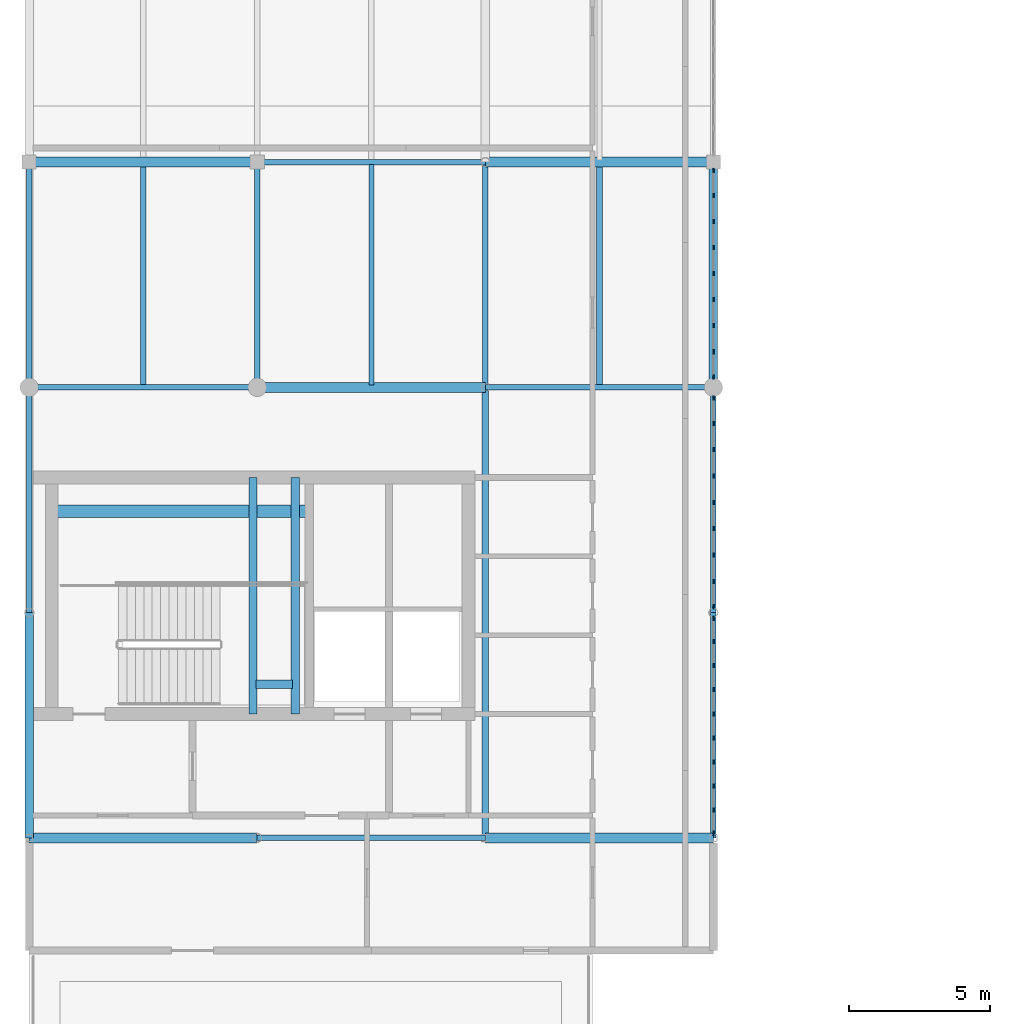
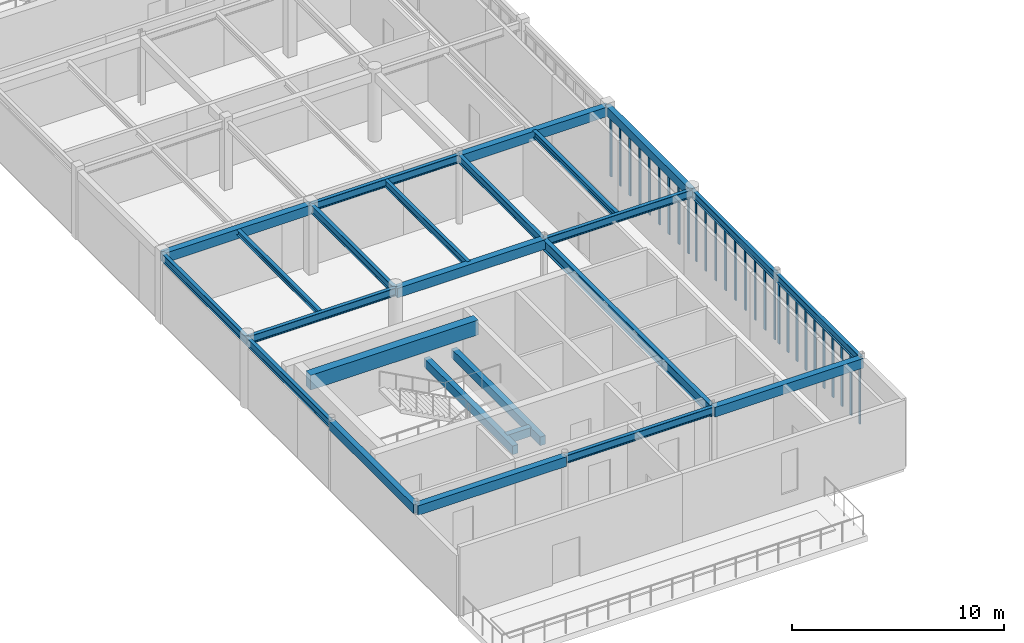
# One storey, part 4 of 18: 28 members, 25 beams, 3 elements without a shape of their own.
"""IFC4 building model written with IfcOpenShell, lengths in metres."""

from ifc_helpers import new_model, si_unit, direction, frame, origin, origin_2d, place, context, subcontext, project, spatial, rectangle, i_section, extrude, material, material_profile, profile_set, type_object, element, aggregate, save


model = new_model("IFC4")

# Units and contexts
model_context = context("Model", 3, precision=1e-05, world=origin(), true_north=direction((0.0, 1.0)))
body_context = subcontext(model_context, "Body", "Model", "MODEL_VIEW")
ifc_project = project(units=[si_unit("LENGTHUNIT", "METRE"), si_unit("AREAUNIT", "SQUARE_METRE"), si_unit("VOLUMEUNIT", "CUBIC_METRE"), si_unit("PLANEANGLEUNIT", "RADIAN"), si_unit("MASSUNIT", "GRAM", prefix="KILO")], contexts=[model_context])

# Site, building, storey
site_placement = place(None, origin())
site = spatial("IfcSite", under=ifc_project, at=site_placement, CompositionType="ELEMENT")
building_placement = place(site_placement, origin())
building = spatial("IfcBuilding", under=site, at=building_placement, Name="Tarnveldt Square Police Headquarters", CompositionType="ELEMENT")
storey_placement = place(building_placement, frame((0.0, 0.0, 29.10009765625)))
storey = spatial("IfcBuildingStorey", under=building, at=storey_placement, Name="L06", CompositionType="ELEMENT", Elevation=29.10009765625)

# Beams
ifc_material_1 = material(Name="Concrete 50 MPa", Category="concrete")
ifc_material_profile_1 = material_profile(ifc_material_1, rectangle(XDim=0.449951171875, YDim=0.85009765625, at=origin_2d()), Name="RC-CB450x850")
ifc_profile_set_1 = profile_set([ifc_material_profile_1], Name="Concrete 50 MPa")
beam_type_1 = type_object("IfcBeamType", Name="BM-CB450x850", PredefinedType="BEAM", material=ifc_profile_set_1)
beam_1_placement = place(storey_placement, frame((17.0, 67.60009765625, 3.77490234375), z_axis=(1.0, 0.0, 0.0), x_axis=(0.0, 1.0, 0.0)))
element("IfcBeam", 1, at=beam_1_placement, inside=storey, type_object=beam_type_1, Name="Core K1 South-West Command and Firefighting Core L06 Ductile Coupling Beam", PredefinedType="BEAM", context=body_context, shape_type="SweptSolid", body=[
    extrude(rectangle(XDim=0.449951171875, YDim=0.85009765625, at=origin_2d()), origin(), (0.0, 0.0, 1.0), 9.14990234375),
])
ifc_material_2 = material(Name="Concrete 40 MPa", Category="concrete")
ifc_material_profile_2 = material_profile(ifc_material_2, rectangle(XDim=0.300048828125, YDim=0.5, at=origin_2d()), Name="RC-B300x500")
ifc_profile_set_2 = profile_set([ifc_material_profile_2], Name="Concrete 40 MPa")
beam_type_2 = type_object("IfcBeamType", Name="BM-RC300x500", PredefinedType="BEAM", material=ifc_profile_set_2)
beam_2_placement = place(storey_placement, frame((24.14990234375, 60.39990234375, 1.64990234375), z_axis=(0.0, 1.0, 0.0), x_axis=(-1.0, 0.0, 0.0)))
element("IfcBeam", 2, at=beam_2_placement, inside=storey, type_object=beam_type_2, Name="ST1 L06 Half-Landing Support Beam 1", PredefinedType="BEAM", context=body_context, shape_type="SweptSolid", body=[
    extrude(rectangle(XDim=0.300048828125, YDim=0.5, at=origin_2d()), origin(), (0.0, 0.0, 1.0), 8.400146484375),
])
beam_3_placement = place(storey_placement, frame((24.25, 61.449951171875, 1.64990234375), z_axis=(1.0, 0.0, 0.0), x_axis=(0.0, 1.0, 0.0)))
element("IfcBeam", 3, at=beam_3_placement, inside=storey, type_object=beam_type_2, Name="ST1 L06 Half-Landing Support Beam 2", PredefinedType="BEAM", context=body_context, shape_type="SweptSolid", body=[
    extrude(rectangle(XDim=0.300048828125, YDim=0.5, at=origin_2d()), origin(), (0.0, 0.0, 1.0), 1.300048828125),
])
beam_4_placement = place(storey_placement, frame((25.64990234375, 60.39990234375, 1.64990234375), z_axis=(0.0, 1.0, 0.0), x_axis=(-1.0, 0.0, 0.0)))
element("IfcBeam", 4, at=beam_4_placement, inside=storey, type_object=beam_type_2, Name="ST1 L06 Half-Landing Transverse Support Beam", PredefinedType="BEAM", context=body_context, shape_type="SweptSolid", body=[
    extrude(rectangle(XDim=0.300048828125, YDim=0.5, at=origin_2d()), origin(), (0.0, 0.0, 1.0), 8.400146484375),
])
for number, where, z_axis, x_axis, name in (
    (5, (16.199951171875, 56.0, 3.7099609375), (0.0, 1.0, 0.0), (-1.0, 0.0, 0.0), "L07 Grid Girder Y-1108"),
    (6, (40.5, 72.0, 3.7099609375), (0.0, 1.0, 0.0), (-1.0, 0.0, 0.0), "L07 Grid Girder Y-1126"),
):
    element("IfcBeam", number, at=place(storey_placement, frame(where, z_axis=z_axis, x_axis=x_axis)), inside=storey, type_object=beam_type_2, Name=name, PredefinedType="BEAM", context=body_context, shape_type="SweptSolid", body=[
        extrude(rectangle(XDim=0.300048828125, YDim=0.5, at=origin_2d()), origin(), (0.0, 0.0, 1.0), 8.0),
    ])
ifc_material_profile_3 = material_profile(ifc_material_2, rectangle(XDim=0.35009765625, YDim=0.550048828125, at=origin_2d()), Name="RC-B350x550")
ifc_profile_set_3 = profile_set([ifc_material_profile_3], Name="Concrete 40 MPa")
beam_type_3 = type_object("IfcBeamType", Name="BM-RC350x550", PredefinedType="BEAM", material=ifc_profile_set_3)
for number, where, z_axis, x_axis, name in (
    (7, (16.199951171875, 56.0, 3.684814453125), (1.0, 0.0, 0.0), (0.0, 1.0, 0.0), "L07 Grid Girder X-1080"),
    (8, (32.39990234375, 56.0, 3.684814453125), (1.0, 0.0, 0.0), (0.0, 1.0, 0.0), "L07 Grid Girder X-1082"),
):
    element("IfcBeam", number, at=place(storey_placement, frame(where, z_axis=z_axis, x_axis=x_axis)), inside=storey, type_object=beam_type_3, Name=name, PredefinedType="BEAM", context=body_context, shape_type="SweptSolid", body=[
        extrude(rectangle(XDim=0.35009765625, YDim=0.550048828125, at=origin_2d()), origin(), (0.0, 0.0, 1.0), 8.10009765625),
    ])
beam_5_placement = place(storey_placement, frame((24.300048828125, 72.0, 3.684814453125), z_axis=(1.0, 0.0, 0.0), x_axis=(0.0, 1.0, 0.0)))
element("IfcBeam", 9, at=beam_5_placement, inside=storey, type_object=beam_type_3, Name="L07 Grid Girder X-1084", PredefinedType="BEAM", context=body_context, shape_type="SweptSolid", body=[
    extrude(rectangle(XDim=0.35009765625, YDim=0.550048828125, at=origin_2d()), origin(), (0.0, 0.0, 1.0), 8.099853515625),
])
for number, where, z_axis, x_axis, name in (
    (10, (16.199951171875, 80.0, 3.684814453125), (1.0, 0.0, 0.0), (0.0, 1.0, 0.0), "L07 Grid Girder X-1086"),
    (11, (32.39990234375, 80.0, 3.684814453125), (1.0, 0.0, 0.0), (0.0, 1.0, 0.0), "L07 Grid Girder X-1088"),
):
    element("IfcBeam", number, at=place(storey_placement, frame(where, z_axis=z_axis, x_axis=x_axis)), inside=storey, type_object=beam_type_3, Name=name, PredefinedType="BEAM", context=body_context, shape_type="SweptSolid", body=[
        extrude(rectangle(XDim=0.35009765625, YDim=0.550048828125, at=origin_2d()), origin(), (0.0, 0.0, 1.0), 8.10009765625),
    ])
ifc_material_3 = material(Name="Steel 350W", Category="steel")
ifc_material_profile_4 = material_profile(ifc_material_3, i_section(OverallWidth=0.202880859375, OverallDepth=0.302978515625, WebThickness=0.007568359375, FlangeThickness=0.01318359375, FilletRadius=0.014892578125, at=origin_2d()), Name="W310x60")
ifc_profile_set_4 = profile_set([ifc_material_profile_4], Name="Steel 350W")
beam_type_4 = type_object("IfcBeamType", Name="BM-W310x60", PredefinedType="JOIST", material=ifc_profile_set_4)
beam_6_placement = place(storey_placement, frame((20.25, 72.080078125, 3.808349609375), z_axis=(0.0, 1.0, 0.0), x_axis=(-1.0, 0.0, 0.0)))
element("IfcBeam", 12, at=beam_6_placement, inside=storey, type_object=beam_type_4, Name="L07 Secondary Floor Joist 0256", PredefinedType="JOIST", context=body_context, shape_type="SweptSolid", body=[
    extrude(i_section(OverallWidth=0.202880859375, OverallDepth=0.302978515625, WebThickness=0.007568359375, FlangeThickness=0.01318359375, FilletRadius=0.014892578125, at=origin_2d()), origin(), (0.0, 0.0, 1.0), 7.83984375),
])
ifc_material_profile_5 = material_profile(ifc_material_3, i_section(OverallWidth=0.205078125, OverallDepth=0.35400390625, WebThickness=0.009521484375, FlangeThickness=0.016845703125, FilletRadius=0.01611328125, at=origin_2d()), Name="W360x79")
ifc_profile_set_5 = profile_set([ifc_material_profile_5], Name="Steel 350W")
beam_type_5 = type_object("IfcBeamType", Name="BM-W360x79", PredefinedType="JOIST", material=ifc_profile_set_5)
beam_7_placement = place(storey_placement, frame((36.449951171875, 72.080078125, 3.782958984375), z_axis=(0.0, 1.0, 0.0), x_axis=(-1.0, 0.0, 0.0)))
element("IfcBeam", 13, at=beam_7_placement, inside=storey, type_object=beam_type_5, Name="L07 Secondary Floor Joist 0258", PredefinedType="JOIST", context=body_context, shape_type="SweptSolid", body=[
    extrude(i_section(OverallWidth=0.205078125, OverallDepth=0.35400390625, WebThickness=0.009521484375, FlangeThickness=0.016845703125, FilletRadius=0.01611328125, at=origin_2d()), origin(), (0.0, 0.0, 1.0), 7.83984375),
])
ifc_material_profile_6 = material_profile(ifc_material_3, i_section(OverallWidth=0.177978515625, OverallDepth=0.406982421875, WebThickness=0.0078125, FlangeThickness=0.0126953125, FilletRadius=0.01611328125, at=origin_2d()), Name="W410x60")
ifc_profile_set_6 = profile_set([ifc_material_profile_6], Name="Steel 350W")
beam_type_6 = type_object("IfcBeamType", Name="BM-W410x60", PredefinedType="JOIST", material=ifc_profile_set_6)
beam_8_placement = place(storey_placement, frame((28.35009765625, 72.080078125, 3.75634765625), z_axis=(0.0, 1.0, 0.0), x_axis=(-1.0, 0.0, 0.0)))
element("IfcBeam", 14, at=beam_8_placement, inside=storey, type_object=beam_type_6, Name="L07 Secondary Floor Joist 0257", PredefinedType="JOIST", context=body_context, shape_type="SweptSolid", body=[
    extrude(i_section(OverallWidth=0.177978515625, OverallDepth=0.406982421875, WebThickness=0.0078125, FlangeThickness=0.0126953125, FilletRadius=0.01611328125, at=origin_2d()), origin(), (0.0, 0.0, 1.0), 7.83984375),
])
ifc_material_profile_7 = material_profile(ifc_material_3, i_section(OverallWidth=0.19189453125, OverallDepth=0.462890625, WebThickness=0.010498046875, FlangeThickness=0.017578125, FilletRadius=0.01806640625, at=origin_2d()), Name="W460x89")
ifc_profile_set_7 = profile_set([ifc_material_profile_7], Name="Steel 350W")
beam_type_7 = type_object("IfcBeamType", Name="BM-W460x89", PredefinedType="BEAM", material=ifc_profile_set_7)
beam_9_placement = place(storey_placement, frame((24.300048828125, 56.0, 3.728515625), z_axis=(1.0, 0.0, 0.0), x_axis=(0.0, 1.0, 0.0)))
element("IfcBeam", 15, at=beam_9_placement, inside=storey, type_object=beam_type_7, Name="L07 Grid Girder X-1081", PredefinedType="BEAM", context=body_context, shape_type="SweptSolid", body=[
    extrude(i_section(OverallWidth=0.19189453125, OverallDepth=0.462890625, WebThickness=0.010498046875, FlangeThickness=0.017578125, FilletRadius=0.01806640625, at=origin_2d()), origin(), (0.0, 0.0, 1.0), 8.099853515625),
])
for number, where, z_axis, x_axis, name in (
    (16, (16.199951171875, 72.0, 3.728515625), (1.0, 0.0, 0.0), (0.0, 1.0, 0.0), "L07 Grid Girder X-1083"),
    (17, (32.39990234375, 72.0, 3.728515625), (1.0, 0.0, 0.0), (0.0, 1.0, 0.0), "L07 Grid Girder X-1085"),
):
    element("IfcBeam", number, at=place(storey_placement, frame(where, z_axis=z_axis, x_axis=x_axis)), inside=storey, type_object=beam_type_7, Name=name, PredefinedType="BEAM", context=body_context, shape_type="SweptSolid", body=[
        extrude(i_section(OverallWidth=0.19189453125, OverallDepth=0.462890625, WebThickness=0.010498046875, FlangeThickness=0.017578125, FilletRadius=0.01806640625, at=origin_2d()), origin(), (0.0, 0.0, 1.0), 8.10009765625),
    ])
beam_10_placement = place(storey_placement, frame((24.300048828125, 80.0, 3.728515625), z_axis=(1.0, 0.0, 0.0), x_axis=(0.0, 1.0, 0.0)))
element("IfcBeam", 18, at=beam_10_placement, inside=storey, type_object=beam_type_7, Name="L07 Grid Girder X-1087", PredefinedType="BEAM", context=body_context, shape_type="SweptSolid", body=[
    extrude(i_section(OverallWidth=0.19189453125, OverallDepth=0.462890625, WebThickness=0.010498046875, FlangeThickness=0.017578125, FilletRadius=0.01806640625, at=origin_2d()), origin(), (0.0, 0.0, 1.0), 8.099853515625),
])
for number, where, z_axis, x_axis, name in (
    (19, (16.199951171875, 64.0, 3.728515625), (0.0, 1.0, 0.0), (-1.0, 0.0, 0.0), "L07 Grid Girder Y-1109"),
    (20, (16.199951171875, 72.0, 3.728515625), (0.0, 1.0, 0.0), (-1.0, 0.0, 0.0), "L07 Grid Girder Y-1110"),
    (21, (24.300048828125, 72.0, 3.728515625), (0.0, 1.0, 0.0), (-1.0, 0.0, 0.0), "L07 Grid Girder Y-1115"),
    (22, (32.39990234375, 72.0, 3.728515625), (0.0, 1.0, 0.0), (-1.0, 0.0, 0.0), "L07 Grid Girder Y-1119"),
    (23, (40.5, 56.0, 3.728515625), (0.0, 1.0, 0.0), (-1.0, 0.0, 0.0), "L07 Grid Girder Y-1124"),
    (24, (40.5, 64.0, 3.728515625), (0.0, 1.0, 0.0), (-1.0, 0.0, 0.0), "L07 Grid Girder Y-1125"),
):
    element("IfcBeam", number, at=place(storey_placement, frame(where, z_axis=z_axis, x_axis=x_axis)), inside=storey, type_object=beam_type_7, Name=name, PredefinedType="BEAM", context=body_context, shape_type="SweptSolid", body=[
        extrude(i_section(OverallWidth=0.19189453125, OverallDepth=0.462890625, WebThickness=0.010498046875, FlangeThickness=0.017578125, FilletRadius=0.01806640625, at=origin_2d()), origin(), (0.0, 0.0, 1.0), 8.0),
    ])
ifc_material_profile_8 = material_profile(ifc_material_3, i_section(OverallWidth=0.22900390625, OverallDepth=0.612060546875, WebThickness=0.011962890625, FlangeThickness=0.01953125, FilletRadius=0.01904296875, at=origin_2d()), Name="W610x125")
ifc_profile_set_8 = profile_set([ifc_material_profile_8], Name="Steel 350W")
beam_type_8 = type_object("IfcBeamType", Name="BM-W610x125", PredefinedType="BEAM", material=ifc_profile_set_8)
beam_11_placement = place(storey_placement, frame((32.39990234375, 56.0, 3.65380859375), z_axis=(0.0, 1.0, 0.0), x_axis=(-1.0, 0.0, 0.0)))
element("IfcBeam", 25, at=beam_11_placement, inside=storey, type_object=beam_type_8, Name="L07 Grid Girder Y-1118", PredefinedType="BEAM", context=body_context, shape_type="SweptSolid", body=[
    extrude(i_section(OverallWidth=0.22900390625, OverallDepth=0.612060546875, WebThickness=0.011962890625, FlangeThickness=0.01953125, FilletRadius=0.01904296875, at=origin_2d()), origin(), (0.0, 0.0, 1.0), 16.0),
])

# Curtain wall, members
ifc_material_4 = material(Name="Triple-glazed low-e laminated vision glass", Category="glass")
curtain_wall_type_1 = type_object("IfcCurtainWallType", Name="CW-UP-768x349", PredefinedType="USERDEFINED", material=ifc_material_4)
curtain_wall_1_placement = place(storey_placement, origin())
curtain_wall_1 = element("IfcCurtainWall", 26, at=curtain_wall_1_placement, inside=storey, type_object=curtain_wall_type_1, Name="L06 Curtain Wall CW-L06-089", ObjectType="GLAZED CURTAIN WALL", PredefinedType="USERDEFINED")
ifc_material_5 = material(Name="Thermally broken anodised aluminium 6063-T6", Category="aluminium")
ifc_material_profile_9 = material_profile(ifc_material_5, rectangle(XDim=0.06494140625, YDim=0.159912109375, at=origin_2d()), Name="CW-M65x160")
ifc_profile_set_9 = profile_set([ifc_material_profile_9], Name="Thermally broken anodised aluminium 6063-T6")
member_type = type_object("IfcMemberType", Name="CWM-65x160", PredefinedType="MULLION", material=ifc_profile_set_9)
member_1_placement = place(storey_placement, frame((40.5, 56.174560546875, 0.0), z_axis=(0.0, 0.0, 1.0), x_axis=(-1.0, 0.0, 0.0)))
member_1 = element("IfcMember", 27, at=member_1_placement, type_object=member_type, Name="CW-UP47 mullion 1", PredefinedType="MULLION", context=body_context, shape_type="SweptSolid", body=[
    extrude(rectangle(XDim=0.06494140625, YDim=0.159912109375, at=origin_2d()), origin(), (0.0, 0.0, 1.0), 3.489013671875),
])
member_2_placement = place(storey_placement, frame((40.5, 56.995361328125, 0.0), z_axis=(0.0, 0.0, 1.0), x_axis=(-1.0, 0.0, 0.0)))
member_2 = element("IfcMember", 28, at=member_2_placement, type_object=member_type, Name="CW-UP47 mullion 2", PredefinedType="MULLION", context=body_context, shape_type="SweptSolid", body=[
    extrude(rectangle(XDim=0.06494140625, YDim=0.159912109375, at=origin_2d()), origin(), (0.0, 0.0, 1.0), 3.489013671875),
])
member_3_placement = place(storey_placement, frame((40.5, 57.848876953125, 0.0), z_axis=(0.0, 0.0, 1.0), x_axis=(-1.0, 0.0, 0.0)))
member_3 = element("IfcMember", 29, at=member_3_placement, type_object=member_type, Name="CW-UP47 mullion 3", PredefinedType="MULLION", context=body_context, shape_type="SweptSolid", body=[
    extrude(rectangle(XDim=0.06494140625, YDim=0.159912109375, at=origin_2d()), origin(), (0.0, 0.0, 1.0), 3.489013671875),
])
member_4_placement = place(storey_placement, frame((40.5, 58.702392578125, 0.0), z_axis=(0.0, 0.0, 1.0), x_axis=(-1.0, 0.0, 0.0)))
member_4 = element("IfcMember", 30, at=member_4_placement, type_object=member_type, Name="CW-UP47 mullion 4", PredefinedType="MULLION", context=body_context, shape_type="SweptSolid", body=[
    extrude(rectangle(XDim=0.06494140625, YDim=0.159912109375, at=origin_2d()), origin(), (0.0, 0.0, 1.0), 3.489013671875),
])
member_5_placement = place(storey_placement, frame((40.5, 59.5556640625, 0.0), z_axis=(0.0, 0.0, 1.0), x_axis=(-1.0, 0.0, 0.0)))
member_5 = element("IfcMember", 31, at=member_5_placement, type_object=member_type, Name="CW-UP47 mullion 5", PredefinedType="MULLION", context=body_context, shape_type="SweptSolid", body=[
    extrude(rectangle(XDim=0.06494140625, YDim=0.159912109375, at=origin_2d()), origin(), (0.0, 0.0, 1.0), 3.489013671875),
])
member_6_placement = place(storey_placement, frame((40.5, 60.4091796875, 0.0), z_axis=(0.0, 0.0, 1.0), x_axis=(-1.0, 0.0, 0.0)))
member_6 = element("IfcMember", 32, at=member_6_placement, type_object=member_type, Name="CW-UP47 mullion 6", PredefinedType="MULLION", context=body_context, shape_type="SweptSolid", body=[
    extrude(rectangle(XDim=0.06494140625, YDim=0.159912109375, at=origin_2d()), origin(), (0.0, 0.0, 1.0), 3.489013671875),
])
member_7_placement = place(storey_placement, frame((40.5, 61.2626953125, 0.0), z_axis=(0.0, 0.0, 1.0), x_axis=(-1.0, 0.0, 0.0)))
member_7 = element("IfcMember", 33, at=member_7_placement, type_object=member_type, Name="CW-UP47 mullion 7", PredefinedType="MULLION", context=body_context, shape_type="SweptSolid", body=[
    extrude(rectangle(XDim=0.06494140625, YDim=0.159912109375, at=origin_2d()), origin(), (0.0, 0.0, 1.0), 3.489013671875),
])
member_8_placement = place(storey_placement, frame((40.5, 62.1162109375, 0.0), z_axis=(0.0, 0.0, 1.0), x_axis=(-1.0, 0.0, 0.0)))
member_8 = element("IfcMember", 34, at=member_8_placement, type_object=member_type, Name="CW-UP47 mullion 8", PredefinedType="MULLION", context=body_context, shape_type="SweptSolid", body=[
    extrude(rectangle(XDim=0.06494140625, YDim=0.159912109375, at=origin_2d()), origin(), (0.0, 0.0, 1.0), 3.489013671875),
])
member_9_placement = place(storey_placement, frame((40.5, 62.969482421875, 0.0), z_axis=(0.0, 0.0, 1.0), x_axis=(-1.0, 0.0, 0.0)))
member_9 = element("IfcMember", 35, at=member_9_placement, type_object=member_type, Name="CW-UP47 mullion 9", PredefinedType="MULLION", context=body_context, shape_type="SweptSolid", body=[
    extrude(rectangle(XDim=0.06494140625, YDim=0.159912109375, at=origin_2d()), origin(), (0.0, 0.0, 1.0), 3.489013671875),
])
member_10_placement = place(storey_placement, frame((40.5, 63.79052734375, 0.0), z_axis=(0.0, 0.0, 1.0), x_axis=(-1.0, 0.0, 0.0)))
member_10 = element("IfcMember", 36, at=member_10_placement, type_object=member_type, Name="CW-UP47 mullion 10", PredefinedType="MULLION", context=body_context, shape_type="SweptSolid", body=[
    extrude(rectangle(XDim=0.06494140625, YDim=0.159912109375, at=origin_2d()), origin(), (0.0, 0.0, 1.0), 3.489013671875),
])
aggregate(curtain_wall_1, [member_1, member_2, member_3, member_4, member_5, member_6, member_7, member_8, member_9, member_10])

curtain_wall_type_2 = type_object("IfcCurtainWallType", Name="CW-UP-748x349", PredefinedType="USERDEFINED", material=ifc_material_4)
curtain_wall_2_placement = place(storey_placement, origin())
curtain_wall_2 = element("IfcCurtainWall", 37, at=curtain_wall_2_placement, inside=storey, type_object=curtain_wall_type_2, Name="L06 Curtain Wall CW-L06-090", ObjectType="GLAZED CURTAIN WALL", PredefinedType="USERDEFINED")
member_11_placement = place(storey_placement, frame((40.5, 64.20947265625, 0.0), z_axis=(0.0, 0.0, 1.0), x_axis=(-1.0, 0.0, 0.0)))
member_11 = element("IfcMember", 38, at=member_11_placement, type_object=member_type, Name="CW-UP44 mullion 1", PredefinedType="MULLION", context=body_context, shape_type="SweptSolid", body=[
    extrude(rectangle(XDim=0.06494140625, YDim=0.159912109375, at=origin_2d()), origin(), (0.0, 0.0, 1.0), 3.489013671875),
])
member_12_placement = place(storey_placement, frame((40.5, 65.1123046875, 0.0), z_axis=(0.0, 0.0, 1.0), x_axis=(-1.0, 0.0, 0.0)))
member_12 = element("IfcMember", 39, at=member_12_placement, type_object=member_type, Name="CW-UP44 mullion 2", PredefinedType="MULLION", context=body_context, shape_type="SweptSolid", body=[
    extrude(rectangle(XDim=0.06494140625, YDim=0.159912109375, at=origin_2d()), origin(), (0.0, 0.0, 1.0), 3.489013671875),
])
member_13_placement = place(storey_placement, frame((40.5, 66.0478515625, 0.0), z_axis=(0.0, 0.0, 1.0), x_axis=(-1.0, 0.0, 0.0)))
member_13 = element("IfcMember", 40, at=member_13_placement, type_object=member_type, Name="CW-UP44 mullion 3", PredefinedType="MULLION", context=body_context, shape_type="SweptSolid", body=[
    extrude(rectangle(XDim=0.06494140625, YDim=0.159912109375, at=origin_2d()), origin(), (0.0, 0.0, 1.0), 3.489013671875),
])
member_14_placement = place(storey_placement, frame((40.5, 66.983154296875, 0.0), z_axis=(0.0, 0.0, 1.0), x_axis=(-1.0, 0.0, 0.0)))
member_14 = element("IfcMember", 41, at=member_14_placement, type_object=member_type, Name="CW-UP44 mullion 4", PredefinedType="MULLION", context=body_context, shape_type="SweptSolid", body=[
    extrude(rectangle(XDim=0.06494140625, YDim=0.159912109375, at=origin_2d()), origin(), (0.0, 0.0, 1.0), 3.489013671875),
])
member_15_placement = place(storey_placement, frame((40.5, 67.91845703125, 0.0), z_axis=(0.0, 0.0, 1.0), x_axis=(-1.0, 0.0, 0.0)))
member_15 = element("IfcMember", 42, at=member_15_placement, type_object=member_type, Name="CW-UP44 mullion 5", PredefinedType="MULLION", context=body_context, shape_type="SweptSolid", body=[
    extrude(rectangle(XDim=0.06494140625, YDim=0.159912109375, at=origin_2d()), origin(), (0.0, 0.0, 1.0), 3.489013671875),
])
member_16_placement = place(storey_placement, frame((40.5, 68.853759765625, 0.0), z_axis=(0.0, 0.0, 1.0), x_axis=(-1.0, 0.0, 0.0)))
member_16 = element("IfcMember", 43, at=member_16_placement, type_object=member_type, Name="CW-UP44 mullion 6", PredefinedType="MULLION", context=body_context, shape_type="SweptSolid", body=[
    extrude(rectangle(XDim=0.06494140625, YDim=0.159912109375, at=origin_2d()), origin(), (0.0, 0.0, 1.0), 3.489013671875),
])
member_17_placement = place(storey_placement, frame((40.5, 69.789306640625, 0.0), z_axis=(0.0, 0.0, 1.0), x_axis=(-1.0, 0.0, 0.0)))
member_17 = element("IfcMember", 44, at=member_17_placement, type_object=member_type, Name="CW-UP44 mullion 7", PredefinedType="MULLION", context=body_context, shape_type="SweptSolid", body=[
    extrude(rectangle(XDim=0.06494140625, YDim=0.159912109375, at=origin_2d()), origin(), (0.0, 0.0, 1.0), 3.489013671875),
])
member_18_placement = place(storey_placement, frame((40.5, 70.724609375, 0.0), z_axis=(0.0, 0.0, 1.0), x_axis=(-1.0, 0.0, 0.0)))
member_18 = element("IfcMember", 45, at=member_18_placement, type_object=member_type, Name="CW-UP44 mullion 8", PredefinedType="MULLION", context=body_context, shape_type="SweptSolid", body=[
    extrude(rectangle(XDim=0.06494140625, YDim=0.159912109375, at=origin_2d()), origin(), (0.0, 0.0, 1.0), 3.489013671875),
])
member_19_placement = place(storey_placement, frame((40.5, 71.62744140625, 0.0), z_axis=(0.0, 0.0, 1.0), x_axis=(-1.0, 0.0, 0.0)))
member_19 = element("IfcMember", 46, at=member_19_placement, type_object=member_type, Name="CW-UP44 mullion 9", PredefinedType="MULLION", context=body_context, shape_type="SweptSolid", body=[
    extrude(rectangle(XDim=0.06494140625, YDim=0.159912109375, at=origin_2d()), origin(), (0.0, 0.0, 1.0), 3.489013671875),
])
aggregate(curtain_wall_2, [member_11, member_12, member_13, member_14, member_15, member_16, member_17, member_18, member_19])

curtain_wall_type_3 = type_object("IfcCurtainWallType", Name="CW-UP-739x345", PredefinedType="USERDEFINED", material=ifc_material_4)
curtain_wall_3_placement = place(storey_placement, origin())
curtain_wall_3 = element("IfcCurtainWall", 47, at=curtain_wall_3_placement, inside=storey, type_object=curtain_wall_type_3, Name="L06 Curtain Wall CW-L06-091", ObjectType="GLAZED CURTAIN WALL", PredefinedType="USERDEFINED")
member_20_placement = place(storey_placement, frame((40.5, 72.37255859375, 0.0), z_axis=(0.0, 0.0, 1.0), x_axis=(-1.0, 0.0, 0.0)))
member_20 = element("IfcMember", 48, at=member_20_placement, type_object=member_type, Name="CW-UP48 mullion 1", PredefinedType="MULLION", context=body_context, shape_type="SweptSolid", body=[
    extrude(rectangle(XDim=0.06494140625, YDim=0.159912109375, at=origin_2d()), origin(), (0.0, 0.0, 1.0), 3.451904296875),
])
member_21_placement = place(storey_placement, frame((40.5, 73.264404296875, 0.0), z_axis=(0.0, 0.0, 1.0), x_axis=(-1.0, 0.0, 0.0)))
member_21 = element("IfcMember", 49, at=member_21_placement, type_object=member_type, Name="CW-UP48 mullion 2", PredefinedType="MULLION", context=body_context, shape_type="SweptSolid", body=[
    extrude(rectangle(XDim=0.06494140625, YDim=0.159912109375, at=origin_2d()), origin(), (0.0, 0.0, 1.0), 3.451904296875),
])
member_22_placement = place(storey_placement, frame((40.5, 74.188720703125, 0.0), z_axis=(0.0, 0.0, 1.0), x_axis=(-1.0, 0.0, 0.0)))
member_22 = element("IfcMember", 50, at=member_22_placement, type_object=member_type, Name="CW-UP48 mullion 3", PredefinedType="MULLION", context=body_context, shape_type="SweptSolid", body=[
    extrude(rectangle(XDim=0.06494140625, YDim=0.159912109375, at=origin_2d()), origin(), (0.0, 0.0, 1.0), 3.451904296875),
])
member_23_placement = place(storey_placement, frame((40.5, 75.113037109375, 0.0), z_axis=(0.0, 0.0, 1.0), x_axis=(-1.0, 0.0, 0.0)))
member_23 = element("IfcMember", 51, at=member_23_placement, type_object=member_type, Name="CW-UP48 mullion 4", PredefinedType="MULLION", context=body_context, shape_type="SweptSolid", body=[
    extrude(rectangle(XDim=0.06494140625, YDim=0.159912109375, at=origin_2d()), origin(), (0.0, 0.0, 1.0), 3.451904296875),
])
member_24_placement = place(storey_placement, frame((40.5, 76.03759765625, 0.0), z_axis=(0.0, 0.0, 1.0), x_axis=(-1.0, 0.0, 0.0)))
member_24 = element("IfcMember", 52, at=member_24_placement, type_object=member_type, Name="CW-UP48 mullion 5", PredefinedType="MULLION", context=body_context, shape_type="SweptSolid", body=[
    extrude(rectangle(XDim=0.06494140625, YDim=0.159912109375, at=origin_2d()), origin(), (0.0, 0.0, 1.0), 3.451904296875),
])
member_25_placement = place(storey_placement, frame((40.5, 76.9619140625, 0.0), z_axis=(0.0, 0.0, 1.0), x_axis=(-1.0, 0.0, 0.0)))
member_25 = element("IfcMember", 53, at=member_25_placement, type_object=member_type, Name="CW-UP48 mullion 6", PredefinedType="MULLION", context=body_context, shape_type="SweptSolid", body=[
    extrude(rectangle(XDim=0.06494140625, YDim=0.159912109375, at=origin_2d()), origin(), (0.0, 0.0, 1.0), 3.451904296875),
])
member_26_placement = place(storey_placement, frame((40.5, 77.88623046875, 0.0), z_axis=(0.0, 0.0, 1.0), x_axis=(-1.0, 0.0, 0.0)))
member_26 = element("IfcMember", 54, at=member_26_placement, type_object=member_type, Name="CW-UP48 mullion 7", PredefinedType="MULLION", context=body_context, shape_type="SweptSolid", body=[
    extrude(rectangle(XDim=0.06494140625, YDim=0.159912109375, at=origin_2d()), origin(), (0.0, 0.0, 1.0), 3.451904296875),
])
member_27_placement = place(storey_placement, frame((40.5, 78.810546875, 0.0), z_axis=(0.0, 0.0, 1.0), x_axis=(-1.0, 0.0, 0.0)))
member_27 = element("IfcMember", 55, at=member_27_placement, type_object=member_type, Name="CW-UP48 mullion 8", PredefinedType="MULLION", context=body_context, shape_type="SweptSolid", body=[
    extrude(rectangle(XDim=0.06494140625, YDim=0.159912109375, at=origin_2d()), origin(), (0.0, 0.0, 1.0), 3.451904296875),
])
member_28_placement = place(storey_placement, frame((40.5, 79.702392578125, 0.0), z_axis=(0.0, 0.0, 1.0), x_axis=(-1.0, 0.0, 0.0)))
member_28 = element("IfcMember", 56, at=member_28_placement, type_object=member_type, Name="CW-UP48 mullion 9", PredefinedType="MULLION", context=body_context, shape_type="SweptSolid", body=[
    extrude(rectangle(XDim=0.06494140625, YDim=0.159912109375, at=origin_2d()), origin(), (0.0, 0.0, 1.0), 3.451904296875),
])
aggregate(curtain_wall_3, [member_20, member_21, member_22, member_23, member_24, member_25, member_26, member_27, member_28])

save(model, "model.ifc")
